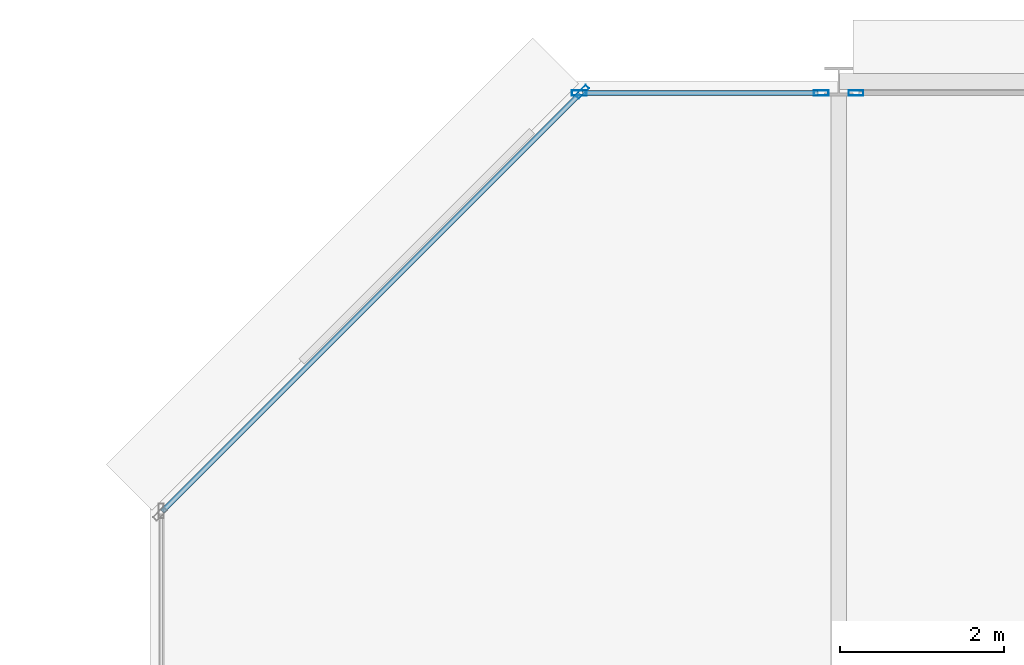
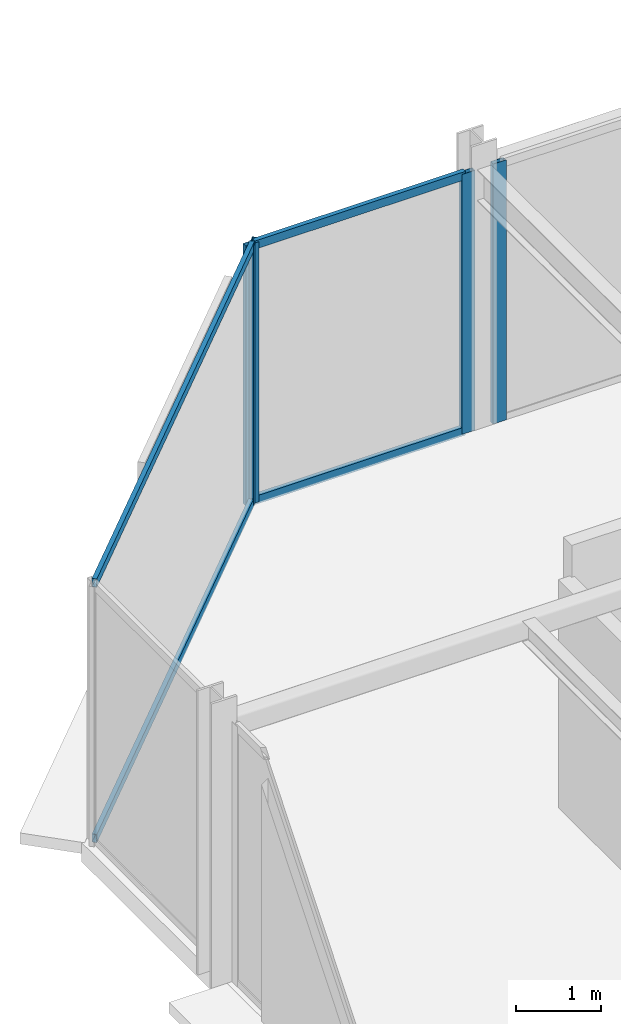
# One storey, part 20 of 30: 8 members, 3 elements without a shape of their own.
"""IFC4 building model written with IfcOpenShell, lengths in metres."""

from ifc_helpers import new_model, si_unit, direction, frame, origin, origin_2d, place, context, subcontext, project, spatial, hollow_rectangle, extrude, material, layer, layer_set, material_profile, profile_set, type_object, element, aggregate, save


model = new_model("IFC4")

# Units and contexts
model_context = context("Model", 3, precision=1e-05, world=origin(), true_north=direction((0.0, 1.0)))
body_context = subcontext(model_context, "Body", "Model", "MODEL_VIEW")
ifc_project = project(units=[si_unit("LENGTHUNIT", "METRE"), si_unit("AREAUNIT", "SQUARE_METRE"), si_unit("VOLUMEUNIT", "CUBIC_METRE"), si_unit("PLANEANGLEUNIT", "RADIAN"), si_unit("MASSUNIT", "GRAM", prefix="KILO")], contexts=[model_context])

# Site, building, storey
site_placement = place(None, origin())
site = spatial("IfcSite", under=ifc_project, at=site_placement, CompositionType="ELEMENT")
building_placement = place(site_placement, origin())
building = spatial("IfcBuilding", under=site, at=building_placement, Name="Nerrivon Quay Data Exchange", CompositionType="ELEMENT")
storey_placement = place(building_placement, frame((0.0, 0.0, 216.5)))
storey = spatial("IfcBuildingStorey", under=building, at=storey_placement, Name="L51", CompositionType="ELEMENT", Elevation=216.5)

# Curtain wall, member
ifc_material = material(Name="Anodised aluminium 6063-T6", Category="aluminium")
ifc_layer = layer(ifc_material, 0.195068359375)
ifc_layer_set = layer_set([ifc_layer], Name="Anodised aluminium 6063-T6")
curtain_wall_type = type_object("IfcCurtainWallType", Name="CW-SYS-06", PredefinedType="NOTDEFINED", material=ifc_layer_set)
curtain_wall_1_placement = place(storey_placement, origin())
curtain_wall_1 = element("IfcCurtainWall", 1, at=curtain_wall_1_placement, inside=storey, type_object=curtain_wall_type, Name="L51 Unitised Curtain Wall 7", PredefinedType="NOTDEFINED")
ifc_material_profile_1 = material_profile(ifc_material, hollow_rectangle(XDim=0.06494140625, YDim=0.179931640625, WallThickness=0.00341796875, at=origin_2d()), Name="ALU-MULL-180x65")
ifc_profile_set_1 = profile_set([ifc_material_profile_1], Name="Anodised aluminium 6063-T6")
member_type_1 = type_object("IfcMemberType", Name="CWM-180x65", PredefinedType="MULLION", material=ifc_profile_set_1)
member_1_placement = place(storey_placement, frame((5.2724609375, 50.2744140625, 0.0), z_axis=(0.0, 0.0, 1.0), x_axis=(-0.707106781187, 0.707106781187, 0.0)))
member_1 = element("IfcMember", 2, at=member_1_placement, type_object=member_type_1, Name="CW06 mullion 2", PredefinedType="MULLION", context=body_context, shape_type="SweptSolid", body=[
    extrude(hollow_rectangle(XDim=0.06494140625, YDim=0.179931640625, WallThickness=0.00341796875, at=origin_2d()), origin(), (0.0, 0.0, 1.0), 3.75),
])

# Curtain wall, members
curtain_wall_2_placement = place(storey_placement, origin())
curtain_wall_2 = element("IfcCurtainWall", 3, at=curtain_wall_2_placement, inside=storey, type_object=curtain_wall_type, Name="L51 Unitised Curtain Wall 8", PredefinedType="NOTDEFINED")
member_2_placement = place(storey_placement, frame((5.237548828125, 50.260009765625, 0.0), z_axis=(0.0, 0.0, 1.0), x_axis=(0.0, 1.0, 0.0)))
member_2 = element("IfcMember", 4, at=member_2_placement, type_object=member_type_1, Name="CW06 mullion 1", PredefinedType="MULLION", context=body_context, shape_type="SweptSolid", body=[
    extrude(hollow_rectangle(XDim=0.06494140625, YDim=0.179931640625, WallThickness=0.00341796875, at=origin_2d()), origin(), (0.0, 0.0, 1.0), 3.75),
])
member_3_placement = place(storey_placement, frame((8.1875, 50.260009765625, 0.0), z_axis=(0.0, 0.0, 1.0), x_axis=(0.0, 1.0, 0.0)))
member_3 = element("IfcMember", 5, at=member_3_placement, type_object=member_type_1, Name="CW06 mullion 2", PredefinedType="MULLION", context=body_context, shape_type="SweptSolid", body=[
    extrude(hollow_rectangle(XDim=0.06494140625, YDim=0.179931640625, WallThickness=0.00341796875, at=origin_2d()), origin(), (0.0, 0.0, 1.0), 3.75),
])

# Curtain wall, member
curtain_wall_3_placement = place(storey_placement, origin())
curtain_wall_3 = element("IfcCurtainWall", 6, at=curtain_wall_3_placement, inside=storey, type_object=curtain_wall_type, Name="L51 Unitised Curtain Wall 9", PredefinedType="NOTDEFINED")
member_4_placement = place(storey_placement, frame((8.612548828125, 50.260009765625, 0.0), z_axis=(0.0, 0.0, 1.0), x_axis=(0.0, 1.0, 0.0)))
member_4 = element("IfcMember", 7, at=member_4_placement, type_object=member_type_1, Name="CW06 mullion 1", PredefinedType="MULLION", context=body_context, shape_type="SweptSolid", body=[
    extrude(hollow_rectangle(XDim=0.06494140625, YDim=0.179931640625, WallThickness=0.00341796875, at=origin_2d()), origin(), (0.0, 0.0, 1.0), 3.75),
])
aggregate(curtain_wall_3, [member_4])

# Member
ifc_material_profile_2 = material_profile(ifc_material, hollow_rectangle(XDim=0.06005859375, YDim=0.1201171875, WallThickness=0.003173828125, at=origin_2d()), Name="ALU-TRAN-120x60")
ifc_profile_set_2 = profile_set([ifc_material_profile_2], Name="Anodised aluminium 6063-T6")
member_type_2 = type_object("IfcMemberType", Name="CWT-120x60", PredefinedType="USERDEFINED", material=ifc_profile_set_2)
member_5_placement = place(storey_placement, frame((0.152099609375, 45.154052734375, 0.032470703125), z_axis=(0.707089835771, 0.707123726196, 0.0), x_axis=(-0.707123726196, 0.707089835771, 0.0)))
member_5 = element("IfcMember", 8, at=member_5_placement, type_object=member_type_2, Name="CW06 transom 1.1", ObjectType="TRANSOM", PredefinedType="USERDEFINED", context=body_context, shape_type="SweptSolid", body=[
    extrude(hollow_rectangle(XDim=0.06005859375, YDim=0.1201171875, WallThickness=0.003173828125, at=origin_2d()), origin(), (0.0, 0.0, 1.0), 7.203857421875),
])

member_6_placement = place(storey_placement, frame((0.152099609375, 45.154052734375, 3.717529296875), z_axis=(0.707089835771, 0.707123726196, 0.0), x_axis=(-0.707123726196, 0.707089835771, 0.0)))
member_6 = element("IfcMember", 9, at=member_6_placement, type_object=member_type_2, Name="CW06 transom 1.2", ObjectType="TRANSOM", PredefinedType="USERDEFINED", context=body_context, shape_type="SweptSolid", body=[
    extrude(hollow_rectangle(XDim=0.06005859375, YDim=0.1201171875, WallThickness=0.003173828125, at=origin_2d()), origin(), (0.0, 0.0, 1.0), 7.203857421875),
])

aggregate(curtain_wall_1, [member_1, member_5, member_6])

member_7_placement = place(storey_placement, frame((5.27490234375, 50.260009765625, 0.032470703125), z_axis=(1.0, 0.0, 0.0), x_axis=(0.0, 1.0, 0.0)))
member_7 = element("IfcMember", 10, at=member_7_placement, type_object=member_type_2, Name="CW06 transom 1.1", ObjectType="TRANSOM", PredefinedType="USERDEFINED", context=body_context, shape_type="SweptSolid", body=[
    extrude(hollow_rectangle(XDim=0.06005859375, YDim=0.1201171875, WallThickness=0.003173828125, at=origin_2d()), origin(), (0.0, 0.0, 1.0), 2.875),
])

member_8_placement = place(storey_placement, frame((5.27490234375, 50.260009765625, 3.717529296875), z_axis=(1.0, 0.0, 0.0), x_axis=(0.0, 1.0, 0.0)))
member_8 = element("IfcMember", 11, at=member_8_placement, type_object=member_type_2, Name="CW06 transom 1.2", ObjectType="TRANSOM", PredefinedType="USERDEFINED", context=body_context, shape_type="SweptSolid", body=[
    extrude(hollow_rectangle(XDim=0.06005859375, YDim=0.1201171875, WallThickness=0.003173828125, at=origin_2d()), origin(), (0.0, 0.0, 1.0), 2.875),
])

aggregate(curtain_wall_2, [member_2, member_3, member_7, member_8])

save(model, "model.ifc")
